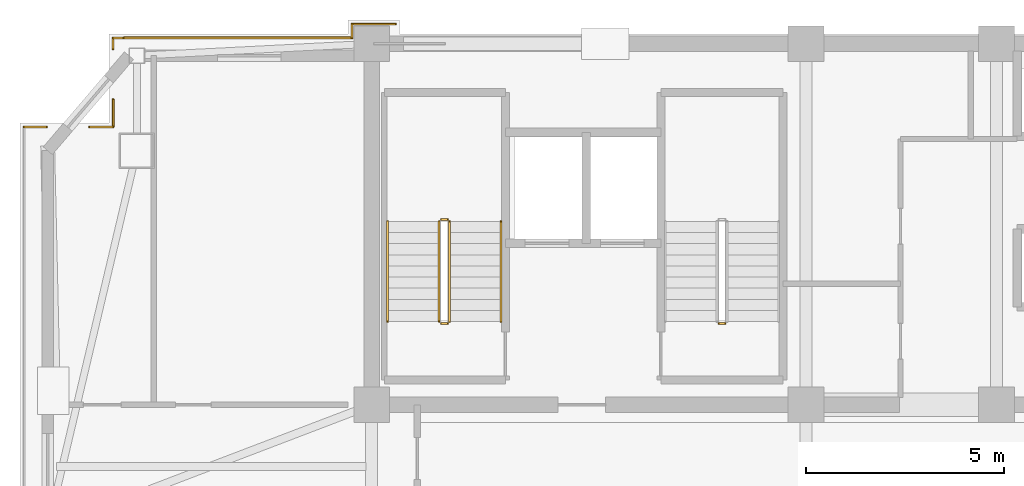
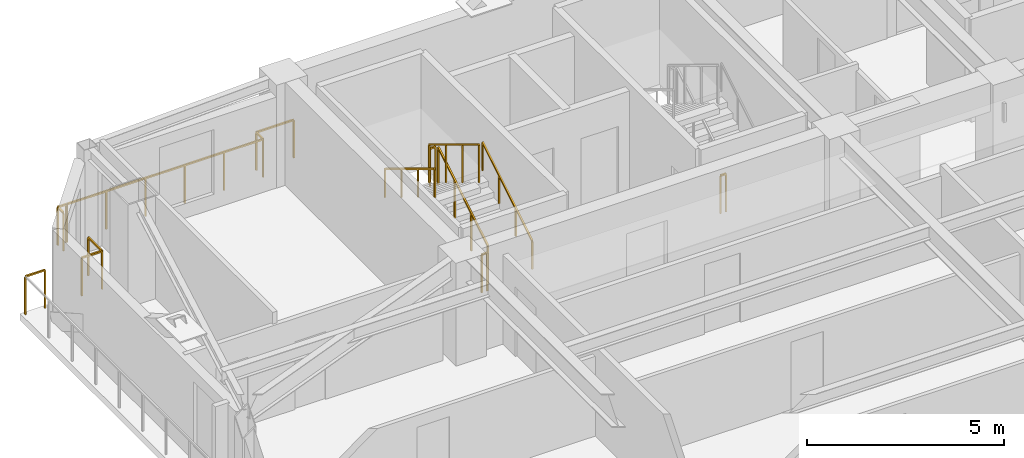
# One storey, part 11 of 13: 15 railings.
"""IFC4 building model written with IfcOpenShell, lengths in metres."""

from ifc_helpers import new_model, si_unit, direction, frame, origin, origin_2d, place, context, subcontext, project, spatial, rectangle, extrude, material, type_object, element, save


model = new_model("IFC4")

# Units and contexts
model_context = context("Model", 3, precision=1e-05, world=origin(), true_north=direction((0.0, 1.0)))
body_context = subcontext(model_context, "Body", "Model", "MODEL_VIEW")
ifc_project = project(units=[si_unit("LENGTHUNIT", "METRE"), si_unit("AREAUNIT", "SQUARE_METRE"), si_unit("VOLUMEUNIT", "CUBIC_METRE"), si_unit("PLANEANGLEUNIT", "RADIAN"), si_unit("MASSUNIT", "GRAM", prefix="KILO")], contexts=[model_context])

# Site, building, storey
site_placement = place(None, origin())
site = spatial("IfcSite", under=ifc_project, at=site_placement, CompositionType="ELEMENT")
building_placement = place(site_placement, origin())
building = spatial("IfcBuilding", under=site, at=building_placement, Name="Giltprow Tower", CompositionType="ELEMENT")
storey_placement = place(building_placement, frame((0.0, 0.0, 335.699951171875)))
storey = spatial("IfcBuildingStorey", under=building, at=storey_placement, Name="L87", CompositionType="ELEMENT", Elevation=335.699951171875)

# Railings
ifc_material = material(Name="Anodized bronze", Category="metal")
railing_type_1 = type_object("IfcRailingType", Name="RAIL-BALC-GUARD-1200", PredefinedType="BALUSTRADE", material=ifc_material)
railing_1_placement = place(storey_placement, frame((11.0849609375, 44.4541015625, 0.0)))
element("IfcRailing", 1, at=railing_1_placement, inside=storey, type_object=railing_type_1, Name="L87 Corner Apron Edge Balustrade 14", PredefinedType="BALUSTRADE", context=body_context, shape_type="SweptSolid", body=[
    extrude(rectangle(XDim=0.048095703125, YDim=0.048095703125, at=origin_2d()), frame((0.0, 0.0, 1.17578125), z_axis=(1.0, 0.0, 0.0), x_axis=(0.0, 1.0, 0.0)), (0.0, 0.0, 1.0), 0.572998046875),
    extrude(rectangle(XDim=0.0419921875, YDim=0.0419921875, at=origin_2d()), origin(), (0.0, 0.0, 1.0), 1.15185546875),
    extrude(rectangle(XDim=0.0419921875, YDim=0.0419921875, at=origin_2d()), frame((0.572998046875, 0.0, 0.0)), (0.0, 0.0, 1.0), 1.15185546875),
])
railing_2_placement = place(storey_placement, frame((12.736083984375, 44.4541015625, 0.0)))
element("IfcRailing", 2, at=railing_2_placement, inside=storey, type_object=railing_type_1, Name="L87 Corner Apron Edge Balustrade 15", PredefinedType="BALUSTRADE", context=body_context, shape_type="SweptSolid", body=[
    extrude(rectangle(XDim=0.048095703125, YDim=0.048095703125, at=origin_2d()), frame((0.0, 0.0, 1.17578125), z_axis=(1.0, 0.0, 0.0), x_axis=(0.0, 1.0, 0.0)), (0.0, 0.0, 1.0), 0.594970703125),
    extrude(rectangle(XDim=0.0419921875, YDim=0.0419921875, at=origin_2d()), origin(), (0.0, 0.0, 1.0), 1.15185546875),
    extrude(rectangle(XDim=0.0419921875, YDim=0.0419921875, at=origin_2d()), frame((0.594970703125, 0.0, 0.0)), (0.0, 0.0, 1.0), 1.15185546875),
])
railing_3_placement = place(storey_placement, frame((13.3310546875, 44.4541015625, 0.0)))
element("IfcRailing", 3, at=railing_3_placement, inside=storey, type_object=railing_type_1, Name="L87 Corner Apron Edge Balustrade 16", PredefinedType="BALUSTRADE", context=body_context, shape_type="SweptSolid", body=[
    extrude(rectangle(XDim=0.048095703125, YDim=0.048095703125, at=origin_2d()), frame((0.0, 0.0, 1.17578125), z_axis=(0.0, 1.0, 0.0), x_axis=(-1.0, 0.0, 0.0)), (0.0, 0.0, 1.0), 0.69580078125),
    extrude(rectangle(XDim=0.0419921875, YDim=0.0419921875, at=origin_2d()), origin(), (0.0, 0.0, 1.0), 1.15185546875),
    extrude(rectangle(XDim=0.0419921875, YDim=0.0419921875, at=origin_2d()), frame((0.0, 0.69580078125, 0.0)), (0.0, 0.0, 1.0), 1.15185546875),
])
railing_4_placement = place(storey_placement, frame((13.3310546875, 46.4130859375, 0.0)))
element("IfcRailing", 4, at=railing_4_placement, inside=storey, type_object=railing_type_1, Name="L87 Corner Apron Edge Balustrade 17", PredefinedType="BALUSTRADE", context=body_context, shape_type="SweptSolid", body=[
    extrude(rectangle(XDim=0.048095703125, YDim=0.048095703125, at=origin_2d()), frame((0.0, 0.0, 1.17578125), z_axis=(0.0, 1.0, 0.0), x_axis=(-1.0, 0.0, 0.0)), (0.0, 0.0, 1.0), 0.286865234375),
    extrude(rectangle(XDim=0.0419921875, YDim=0.0419921875, at=origin_2d()), origin(), (0.0, 0.0, 1.0), 1.15185546875),
    extrude(rectangle(XDim=0.0419921875, YDim=0.0419921875, at=origin_2d()), frame((0.0, 0.286865234375, 0.0)), (0.0, 0.0, 1.0), 1.15185546875),
])
railing_5_placement = place(storey_placement, frame((13.3310546875, 46.699951171875, 0.0)))
element("IfcRailing", 5, at=railing_5_placement, inside=storey, type_object=railing_type_1, Name="L87 Corner Apron Edge Balustrade 18", PredefinedType="BALUSTRADE", context=body_context, shape_type="SweptSolid", body=[
    extrude(rectangle(XDim=0.048095703125, YDim=0.048095703125, at=origin_2d()), frame((0.0, 0.0, 1.17578125), z_axis=(1.0, 0.0, 0.0), x_axis=(0.0, 1.0, 0.0)), (0.0, 0.0, 1.0), 0.244873046875),
    extrude(rectangle(XDim=0.0419921875, YDim=0.0419921875, at=origin_2d()), origin(), (0.0, 0.0, 1.0), 1.15185546875),
    extrude(rectangle(XDim=0.0419921875, YDim=0.0419921875, at=origin_2d()), frame((0.244873046875, 0.0, 0.0)), (0.0, 0.0, 1.0), 1.15185546875),
])
railing_6_placement = place(storey_placement, frame((13.60400390625, 46.699951171875, 0.0)))
element("IfcRailing", 6, at=railing_6_placement, inside=storey, type_object=railing_type_1, Name="L87 Corner Apron Edge Balustrade 19", PredefinedType="BALUSTRADE", context=body_context, shape_type="SweptSolid", body=[
    extrude(rectangle(XDim=0.048095703125, YDim=0.048095703125, at=origin_2d()), frame((0.0, 0.0, 1.17578125), z_axis=(1.0, 0.0, 0.0), x_axis=(0.0, 1.0, 0.0)), (0.0, 0.0, 1.0), 5.74609375),
    extrude(rectangle(XDim=0.0419921875, YDim=0.0419921875, at=origin_2d()), origin(), (0.0, 0.0, 1.0), 1.15185546875),
    extrude(rectangle(XDim=0.0419921875, YDim=0.0419921875, at=origin_2d()), frame((1.149169921875, 0.0, 0.0)), (0.0, 0.0, 1.0), 1.15185546875),
    extrude(rectangle(XDim=0.0419921875, YDim=0.0419921875, at=origin_2d()), frame((2.29833984375, 0.0, 0.0)), (0.0, 0.0, 1.0), 1.15185546875),
    extrude(rectangle(XDim=0.0419921875, YDim=0.0419921875, at=origin_2d()), frame((3.44775390625, 0.0, 0.0)), (0.0, 0.0, 1.0), 1.15185546875),
    extrude(rectangle(XDim=0.0419921875, YDim=0.0419921875, at=origin_2d()), frame((4.596923828125, 0.0, 0.0)), (0.0, 0.0, 1.0), 1.15185546875),
    extrude(rectangle(XDim=0.0419921875, YDim=0.0419921875, at=origin_2d()), frame((5.74609375, 0.0, 0.0)), (0.0, 0.0, 1.0), 1.15185546875),
])
railing_7_placement = place(storey_placement, frame((19.35009765625, 46.699951171875, 0.0)))
element("IfcRailing", 7, at=railing_7_placement, inside=storey, type_object=railing_type_1, Name="L87 Corner Apron Edge Balustrade 20", PredefinedType="BALUSTRADE", context=body_context, shape_type="SweptSolid", body=[
    extrude(rectangle(XDim=0.048095703125, YDim=0.048095703125, at=origin_2d()), frame((0.0, 0.0, 1.17578125), z_axis=(0.0, 1.0, 0.0), x_axis=(-1.0, 0.0, 0.0)), (0.0, 0.0, 1.0), 0.35009765625),
    extrude(rectangle(XDim=0.0419921875, YDim=0.0419921875, at=origin_2d()), origin(), (0.0, 0.0, 1.0), 1.15185546875),
    extrude(rectangle(XDim=0.0419921875, YDim=0.0419921875, at=origin_2d()), frame((0.0, 0.35009765625, 0.0)), (0.0, 0.0, 1.0), 1.15185546875),
])
railing_8_placement = place(storey_placement, frame((19.35009765625, 47.050048828125, 0.0)))
element("IfcRailing", 8, at=railing_8_placement, inside=storey, type_object=railing_type_1, Name="L87 Corner Apron Edge Balustrade 21", PredefinedType="BALUSTRADE", context=body_context, shape_type="SweptSolid", body=[
    extrude(rectangle(XDim=0.048095703125, YDim=0.048095703125, at=origin_2d()), frame((0.0, 0.0, 1.17578125), z_axis=(1.0, 0.0, 0.0), x_axis=(0.0, 1.0, 0.0)), (0.0, 0.0, 1.0), 1.099853515625),
    extrude(rectangle(XDim=0.0419921875, YDim=0.0419921875, at=origin_2d()), origin(), (0.0, 0.0, 1.0), 1.15185546875),
    extrude(rectangle(XDim=0.0419921875, YDim=0.0419921875, at=origin_2d()), frame((1.099853515625, 0.0, 0.0)), (0.0, 0.0, 1.0), 1.15185546875),
])
railing_type_2 = type_object("IfcRailingType", Name="RAIL-STAIR-GUARD-1200", PredefinedType="GUARDRAIL", material=ifc_material)
railing_9_placement = place(storey_placement, frame((21.81005859375, 39.550048828125, 0.170166015625)))
element("IfcRailing", 9, at=railing_9_placement, inside=storey, type_object=railing_type_2, Name="L87 ST-1 stair guard 1", PredefinedType="GUARDRAIL", context=body_context, shape_type="SweptSolid", body=[
    extrude(rectangle(XDim=0.048095703125, YDim=0.048095703125, at=origin_2d()), frame((0.0, 0.0, 1.17578125), z_axis=(0.0, 0.854821627497, 0.518921945155), x_axis=(-1.0, 0.0, 0.0)), (0.0, 0.0, 1.0), 2.947998046875),
    extrude(rectangle(XDim=0.0419921875, YDim=0.0419921875, at=origin_2d()), origin(), (0.0, 0.0, 1.0), 1.15185546875),
    extrude(rectangle(XDim=0.0419921875, YDim=0.0419921875, at=origin_2d()), frame((0.0, 0.840087890625, 0.510009765625)), (0.0, 0.0, 1.0), 1.15185546875),
    extrude(rectangle(XDim=0.0419921875, YDim=0.0419921875, at=origin_2d()), frame((0.0, 1.679931640625, 1.019775390625)), (0.0, 0.0, 1.0), 1.15185546875),
    extrude(rectangle(XDim=0.0419921875, YDim=0.0419921875, at=origin_2d()), frame((0.0, 2.52001953125, 1.52978515625)), (0.0, 0.0, 1.0), 1.15185546875),
])
railing_10_placement = place(storey_placement, frame((21.760009765625, 42.1201171875, 1.699951171875)))
element("IfcRailing", 10, at=railing_10_placement, inside=storey, type_object=railing_type_2, Name="L87 ST-1 stair guard 2", PredefinedType="GUARDRAIL", context=body_context, shape_type="SweptSolid", body=[
    extrude(rectangle(XDim=0.048095703125, YDim=0.048095703125, at=origin_2d()), frame((0.0, 0.0, 1.17578125), z_axis=(-1.0, 0.0, 0.0), x_axis=(0.0, -1.0, 0.0)), (0.0, 0.0, 1.0), 0.159912109375),
    extrude(rectangle(XDim=0.0419921875, YDim=0.0419921875, at=origin_2d()), origin(), (0.0, 0.0, 1.0), 1.15185546875),
    extrude(rectangle(XDim=0.0419921875, YDim=0.0419921875, at=origin_2d()), frame((-0.159912109375, 0.0, 0.0)), (0.0, 0.0, 1.0), 1.15185546875),
])
railing_11_placement = place(storey_placement, frame((21.550048828125, 42.070068359375, 1.8701171875)))
element("IfcRailing", 11, at=railing_11_placement, inside=storey, type_object=railing_type_2, Name="L87 ST-1 stair guard 3", PredefinedType="GUARDRAIL", context=body_context, shape_type="SweptSolid", body=[
    extrude(rectangle(XDim=0.048095703125, YDim=0.048095703125, at=origin_2d()), frame((0.0, 0.0, 1.17578125), z_axis=(0.0, -0.85478489116, 0.518982456201), x_axis=(1.0, 0.0, 0.0)), (0.0, 0.0, 1.0), 2.9482421875),
    extrude(rectangle(XDim=0.0419921875, YDim=0.0419921875, at=origin_2d()), origin(), (0.0, 0.0, 1.0), 1.15185546875),
    extrude(rectangle(XDim=0.0419921875, YDim=0.0419921875, at=origin_2d()), frame((0.0, -0.840087890625, 0.510009765625)), (0.0, 0.0, 1.0), 1.15185546875),
    extrude(rectangle(XDim=0.0419921875, YDim=0.0419921875, at=origin_2d()), frame((0.0, -1.679931640625, 1.02001953125)), (0.0, 0.0, 1.0), 1.15185546875),
    extrude(rectangle(XDim=0.0419921875, YDim=0.0419921875, at=origin_2d()), frame((0.0, -2.52001953125, 1.530029296875)), (0.0, 0.0, 1.0), 1.15185546875),
])
for number, where, name in (
    (12, (21.760009765625, 39.5, 0.0), "L87 ST-1 stair guard 4"),
    (13, (28.760009765625, 39.5, 0.0), "L87 ST-2 stair guard 4"),
):
    element("IfcRailing", number, at=place(storey_placement, frame(where)), inside=storey, type_object=railing_type_2, Name=name, PredefinedType="GUARDRAIL", context=body_context, shape_type="SweptSolid", body=[
        extrude(rectangle(XDim=0.048095703125, YDim=0.048095703125, at=origin_2d()), frame((0.0, 0.0, 1.17578125), z_axis=(-1.0, 0.0, 0.0), x_axis=(0.0, -1.0, 0.0)), (0.0, 0.0, 1.0), 0.159912109375),
        extrude(rectangle(XDim=0.0419921875, YDim=0.0419921875, at=origin_2d()), origin(), (0.0, 0.0, 1.0), 1.15185546875),
        extrude(rectangle(XDim=0.0419921875, YDim=0.0419921875, at=origin_2d()), frame((-0.159912109375, 0.0, 0.0)), (0.0, 0.0, 1.0), 1.15185546875),
    ])
railing_type_3 = type_object("IfcRailingType", Name="RAIL-STAIR-HAND-900", PredefinedType="HANDRAIL", material=ifc_material)
railing_12_placement = place(storey_placement, frame((23.110107421875, 39.550048828125, 0.170166015625)))
element("IfcRailing", 14, at=railing_12_placement, inside=storey, type_object=railing_type_3, Name="L87 ST-1 stair handrail 1", PredefinedType="HANDRAIL", context=body_context, shape_type="SweptSolid", body=[
    extrude(rectangle(XDim=0.048095703125, YDim=0.048095703125, at=origin_2d()), frame((0.0, 0.0, 0.8759765625), z_axis=(0.0, 0.854821627497, 0.518921945155), x_axis=(-1.0, 0.0, 0.0)), (0.0, 0.0, 1.0), 2.947998046875),
    extrude(rectangle(XDim=0.0419921875, YDim=0.0419921875, at=origin_2d()), origin(), (0.0, 0.0, 1.0), 0.851806640625),
    extrude(rectangle(XDim=0.0419921875, YDim=0.0419921875, at=origin_2d()), frame((0.0, 0.840087890625, 0.510009765625)), (0.0, 0.0, 1.0), 0.851806640625),
    extrude(rectangle(XDim=0.0419921875, YDim=0.0419921875, at=origin_2d()), frame((0.0, 1.679931640625, 1.019775390625)), (0.0, 0.0, 1.0), 0.851806640625),
    extrude(rectangle(XDim=0.0419921875, YDim=0.0419921875, at=origin_2d()), frame((0.0, 2.52001953125, 1.52978515625)), (0.0, 0.0, 1.0), 0.851806640625),
])
railing_13_placement = place(storey_placement, frame((20.25, 42.070068359375, 1.8701171875)))
element("IfcRailing", 15, at=railing_13_placement, inside=storey, type_object=railing_type_3, Name="L87 ST-1 stair handrail 2", PredefinedType="HANDRAIL", context=body_context, shape_type="SweptSolid", body=[
    extrude(rectangle(XDim=0.048095703125, YDim=0.048095703125, at=origin_2d()), frame((0.0, 0.0, 0.8759765625), z_axis=(0.0, -0.85478489116, 0.518982456201), x_axis=(1.0, 0.0, 0.0)), (0.0, 0.0, 1.0), 2.9482421875),
    extrude(rectangle(XDim=0.0419921875, YDim=0.0419921875, at=origin_2d()), origin(), (0.0, 0.0, 1.0), 0.851806640625),
    extrude(rectangle(XDim=0.0419921875, YDim=0.0419921875, at=origin_2d()), frame((0.0, -0.840087890625, 0.510009765625)), (0.0, 0.0, 1.0), 0.851806640625),
    extrude(rectangle(XDim=0.0419921875, YDim=0.0419921875, at=origin_2d()), frame((0.0, -1.679931640625, 1.02001953125)), (0.0, 0.0, 1.0), 0.851806640625),
    extrude(rectangle(XDim=0.0419921875, YDim=0.0419921875, at=origin_2d()), frame((0.0, -2.52001953125, 1.530029296875)), (0.0, 0.0, 1.0), 0.851806640625),
])

save(model, "model.ifc")
